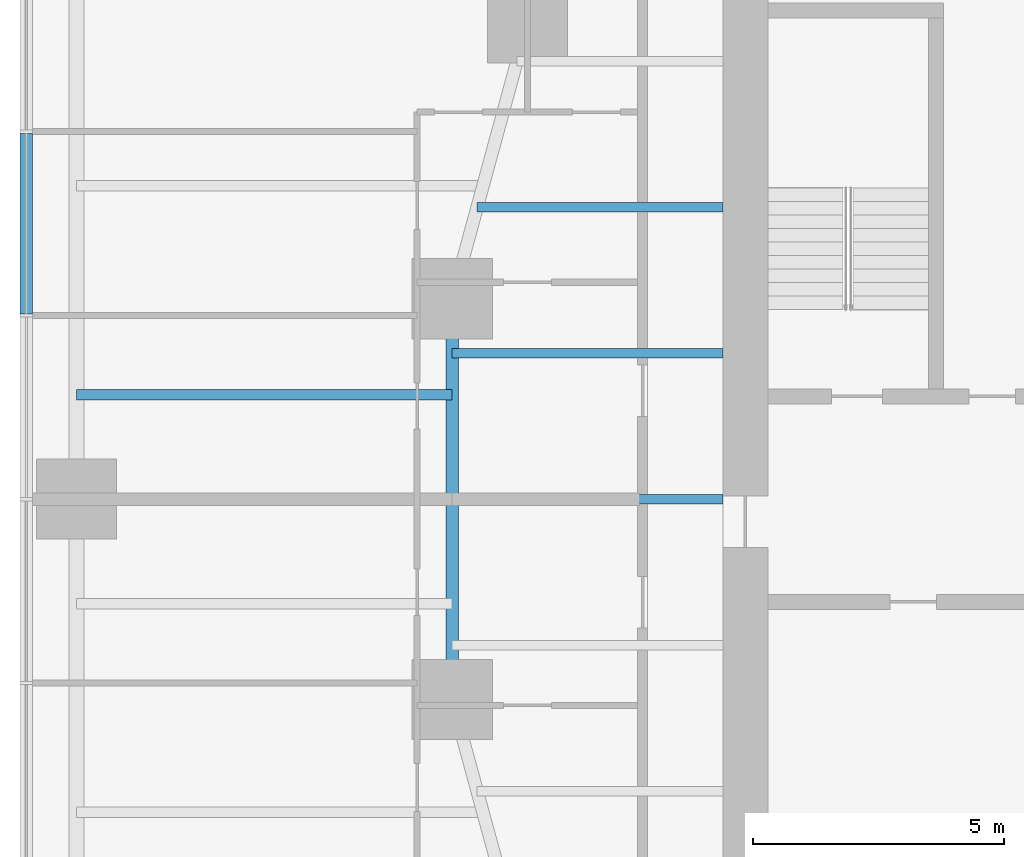
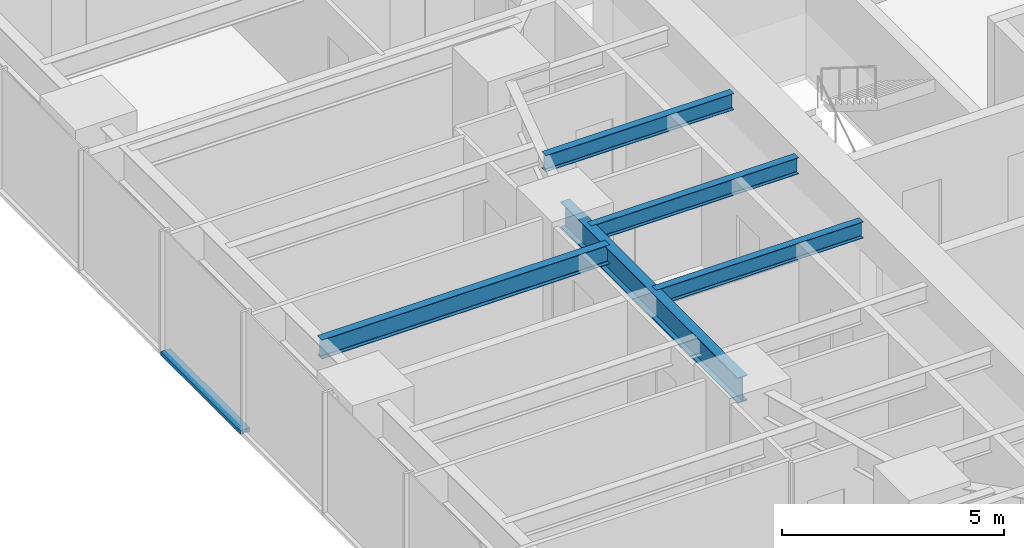
# One storey, part 3 of 16: 5 beams, 1 member, 1 element without a shape of its own.
"""IFC4 building model written with IfcOpenShell, lengths in metres."""

from ifc_helpers import new_model, si_unit, direction, frame, origin, origin_2d, place, context, subcontext, project, spatial, rectangle, i_section, extrude, material, material_profile, profile_set, type_object, element, aggregate, save


model = new_model("IFC4")

# Units and contexts
model_context = context("Model", 3, precision=1e-05, world=origin(), true_north=direction((0.0, 1.0)))
body_context = subcontext(model_context, "Body", "Model", "MODEL_VIEW")
ifc_project = project(units=[si_unit("LENGTHUNIT", "METRE"), si_unit("AREAUNIT", "SQUARE_METRE"), si_unit("VOLUMEUNIT", "CUBIC_METRE"), si_unit("PLANEANGLEUNIT", "RADIAN"), si_unit("MASSUNIT", "GRAM", prefix="KILO")], contexts=[model_context])

# Site, building, storey
site_placement = place(None, origin())
site = spatial("IfcSite", under=ifc_project, at=site_placement, CompositionType="ELEMENT")
building_placement = place(site_placement, origin())
building = spatial("IfcBuilding", under=site, at=building_placement, Name="Torsade Residences", CompositionType="ELEMENT")
storey_placement = place(building_placement, frame((0.0, 0.0, 35.39990234375)))
storey = spatial("IfcBuildingStorey", under=building, at=storey_placement, Name="L09", CompositionType="ELEMENT", Elevation=35.39990234375)

# Curtain wall, member
ifc_material_1 = material(Name="Aluminium and glass", Category="aluminium")
curtain_wall_type = type_object("IfcCurtainWallType", Name="FRITTED GLASS CURTAIN WALL LOW ZONE", PredefinedType="NOTDEFINED", material=ifc_material_1)
curtain_wall_placement = place(storey_placement, origin())
curtain_wall = element("IfcCurtainWall", 1, at=curtain_wall_placement, inside=storey, type_object=curtain_wall_type, Name="Curtain wall L09 face 10", PredefinedType="NOTDEFINED")
ifc_material_2 = material(Name="Aluminium transom", Category="aluminium")
ifc_material_profile_1 = material_profile(ifc_material_2, rectangle(XDim=0.25, YDim=0.10009765625, at=origin_2d()), Name="CURTAIN WALL TRANSOM 250x100")
ifc_profile_set_1 = profile_set([ifc_material_profile_1], Name="Aluminium transom")
member_type = type_object("IfcMemberType", Name="CURTAIN WALL TRANSOM 250x100", PredefinedType="USERDEFINED", material=ifc_profile_set_1)
member_placement = place(storey_placement, frame((14.0, 37.30078125, 0.050048828125), z_axis=(0.0, -1.0, 0.0), x_axis=(1.0, 0.0, 0.0)))
member = element("IfcMember", 2, at=member_placement, type_object=member_type, Name="Transom 5.1", ObjectType="TRANSOM", PredefinedType="USERDEFINED", context=body_context, shape_type="SweptSolid", body=[
    extrude(rectangle(XDim=0.25, YDim=0.10009765625, at=origin_2d()), origin(), (0.0, 0.0, 1.0), 3.6015625),
])
aggregate(curtain_wall, [member])

# Beams
ifc_material_3 = material(Name="Steel grade 300", Category="steel")
ifc_material_profile_2 = material_profile(ifc_material_3, i_section(OverallWidth=0.18994140625, OverallDepth=0.4541015625, WebThickness=0.008544921875, FlangeThickness=0.0126953125, FilletRadius=0.011474609375, at=origin_2d()), Name="460UB67.1")
ifc_profile_set_2 = profile_set([ifc_material_profile_2], Name="Steel grade 300")
beam_type_1 = type_object("IfcBeamType", Name="INNER FLOOR BEAM 460UB67.1", PredefinedType="JOIST", material=ifc_profile_set_2)
beam_1_placement = place(storey_placement, frame((27.89990234375, 35.824951171875, 3.023193359375), z_axis=(-1.0, 0.0, 0.0), x_axis=(0.0, -1.0, 0.0)))
element("IfcBeam", 3, at=beam_1_placement, inside=storey, type_object=beam_type_1, Name="Inner floor beam IW02 L10", PredefinedType="JOIST", context=body_context, shape_type="SweptSolid", body=[
    extrude(i_section(OverallWidth=0.18994140625, OverallDepth=0.4541015625, WebThickness=0.008544921875, FlangeThickness=0.0126953125, FilletRadius=0.011474609375, at=origin_2d()), origin(), (0.0, 0.0, 1.0), 4.902099609375),
])
for number, where, z_axis, x_axis, name in (
    (4, (27.89990234375, 32.91259765625, 3.023193359375), (-1.0, 0.0, 0.0), (0.0, -1.0, 0.0), "Inner floor beam IW03 L10"),
    (5, (27.89990234375, 30.0, 3.023193359375), (-1.0, 0.0, 0.0), (0.0, -1.0, 0.0), "Inner floor beam IW04 L10"),
):
    element("IfcBeam", number, at=place(storey_placement, frame(where, z_axis=z_axis, x_axis=x_axis)), inside=storey, type_object=beam_type_1, Name=name, PredefinedType="JOIST", context=body_context, shape_type="SweptSolid", body=[
        extrude(i_section(OverallWidth=0.18994140625, OverallDepth=0.4541015625, WebThickness=0.008544921875, FlangeThickness=0.0126953125, FilletRadius=0.011474609375, at=origin_2d()), origin(), (0.0, 0.0, 1.0), 5.39990234375),
    ])
ifc_material_4 = material(Name="Steel grade 300", Category="steel")
ifc_material_profile_3 = material_profile(ifc_material_4, i_section(OverallWidth=0.25, OverallDepth=0.699951171875, WebThickness=0.010009765625, FlangeThickness=0.02001953125, at=origin_2d()), Name="700WB130")
ifc_profile_set_3 = profile_set([ifc_material_profile_3], Name="Steel grade 300")
beam_type_2 = type_object("IfcBeamType", Name="RING GIRDER 700WB130", PredefinedType="BEAM", material=ifc_profile_set_3)
beam_2_placement = place(storey_placement, frame((22.5, 34.0, 2.900146484375), z_axis=(0.0, -1.0, 0.0), x_axis=(1.0, 0.0, 0.0)))
element("IfcBeam", 6, at=beam_2_placement, inside=storey, type_object=beam_type_2, Name="Ring girder IR09 L10", PredefinedType="BEAM", context=body_context, shape_type="SweptSolid", body=[
    extrude(i_section(OverallWidth=0.25, OverallDepth=0.699951171875, WebThickness=0.010009765625, FlangeThickness=0.02001953125, at=origin_2d()), origin(), (0.0, 0.0, 1.0), 8.0),
])
ifc_material_5 = material(Name="Steel grade 300", Category="steel")
ifc_material_profile_4 = material_profile(ifc_material_5, i_section(OverallWidth=0.208984375, OverallDepth=0.528076171875, WebThickness=0.009521484375, FlangeThickness=0.01318359375, FilletRadius=0.013916015625, at=origin_2d()), Name="530UB82.0")
ifc_profile_set_4 = profile_set([ifc_material_profile_4], Name="Steel grade 300")
beam_type_3 = type_object("IfcBeamType", Name="SECONDARY BEAM 530UB82.0", PredefinedType="JOIST", material=ifc_profile_set_4)
beam_3_placement = place(storey_placement, frame((15.0, 32.083251953125, 2.986083984375), z_axis=(1.0, 0.0, 0.0), x_axis=(0.0, 1.0, 0.0)))
element("IfcBeam", 7, at=beam_3_placement, inside=storey, type_object=beam_type_3, Name="Floor beam FW06 L10", PredefinedType="JOIST", context=body_context, shape_type="SweptSolid", body=[
    extrude(i_section(OverallWidth=0.208984375, OverallDepth=0.528076171875, WebThickness=0.009521484375, FlangeThickness=0.01318359375, FilletRadius=0.013916015625, at=origin_2d()), origin(), (0.0, 0.0, 1.0), 7.5),
])

save(model, "model.ifc")
